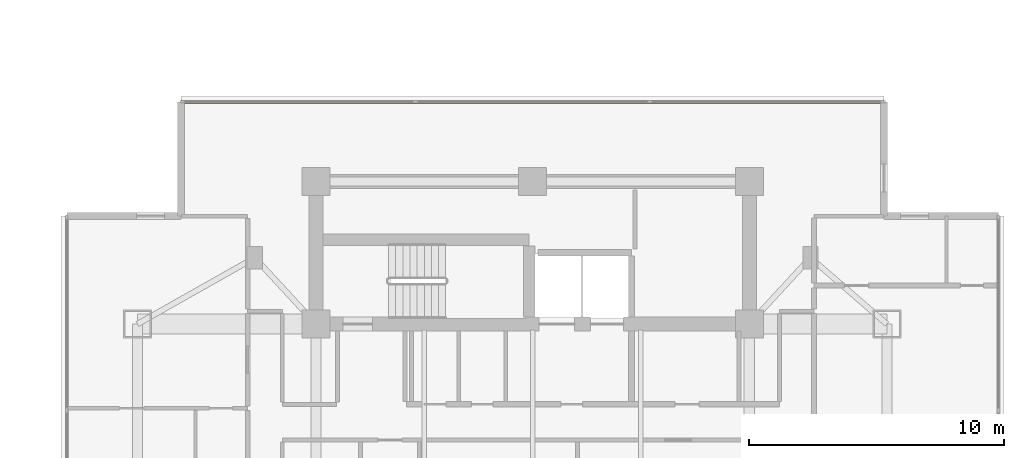
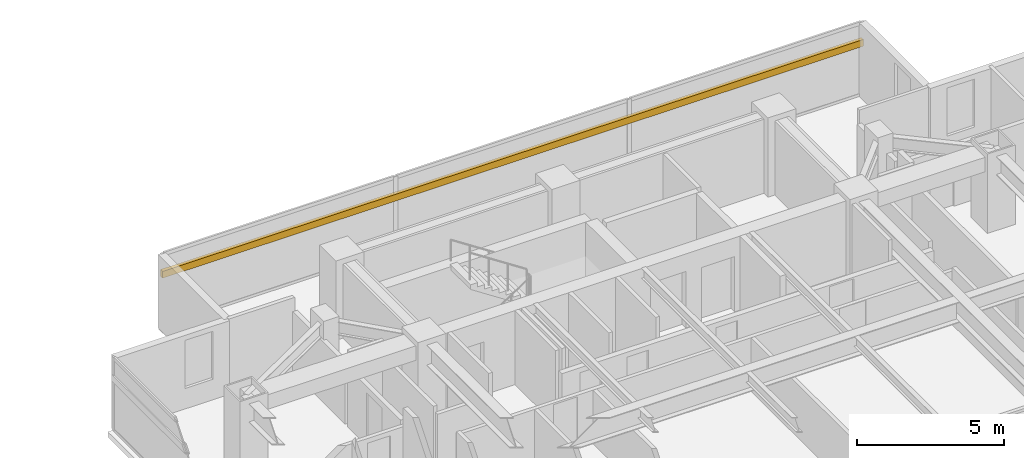
# One storey, part 24 of 24: 1 shading device.
"""IFC4 building model written with IfcOpenShell, lengths in metres."""

from ifc_helpers import new_model, si_unit, direction, frame, origin, origin_2d, place, context, subcontext, project, spatial, rectangle, extrude, material, material_profile, profile_set, type_object, element, save


model = new_model("IFC4")

# Units and contexts
model_context = context("Model", 3, precision=1e-05, world=origin(), true_north=direction((0.0, 1.0)))
body_context = subcontext(model_context, "Body", "Model", "MODEL_VIEW")
ifc_project = project(units=[si_unit("LENGTHUNIT", "METRE"), si_unit("AREAUNIT", "SQUARE_METRE"), si_unit("VOLUMEUNIT", "CUBIC_METRE"), si_unit("PLANEANGLEUNIT", "RADIAN"), si_unit("MASSUNIT", "GRAM", prefix="KILO")], contexts=[model_context])

# Site, building, storey
site_placement = place(None, origin())
site = spatial("IfcSite", under=ifc_project, at=site_placement, CompositionType="ELEMENT")
building_placement = place(site_placement, origin())
building = spatial("IfcBuilding", under=site, at=building_placement, Name="Mirazonda Arch Towers", CompositionType="ELEMENT")
storey_placement = place(building_placement, frame((0.0, 0.0, 137.89990234375)))
storey = spatial("IfcBuildingStorey", under=building, at=storey_placement, Name="L39", CompositionType="ELEMENT", Elevation=137.89990234375)

# Shading device
ifc_material = material(Name="Kiln-Fired Architectural Terracotta", Category="masonry")
ifc_material_profile = material_profile(ifc_material, rectangle(XDim=0.139892578125, YDim=0.280029296875, at=origin_2d()), Name="TERRA-BAG-140x280")
ifc_profile_set = profile_set([ifc_material_profile], Name="Kiln-Fired Architectural Terracotta")
shading_device_type = type_object("IfcShadingDeviceType", Name="BAGUETTE-3", PredefinedType="USERDEFINED", material=ifc_profile_set)
shading_device_placement = place(storey_placement, frame((62.71337890625, 43.918701171875, 2.203369140625), z_axis=(1.0, 0.0, 0.0), x_axis=(0.0, 1.0, 0.0)))
element("IfcShadingDevice", 1, at=shading_device_placement, inside=storey, type_object=shading_device_type, Name="L39 Glazed Terracotta Sun-Screen Baguette CW-L39-T2-N", ObjectType="BAGUETTE", PredefinedType="USERDEFINED", context=body_context, shape_type="SweptSolid", body=[
    extrude(rectangle(XDim=0.139892578125, YDim=0.280029296875, at=origin_2d()), origin(), (0.0, 0.0, 1.0), 27.5732421875),
])

save(model, "model.ifc")
